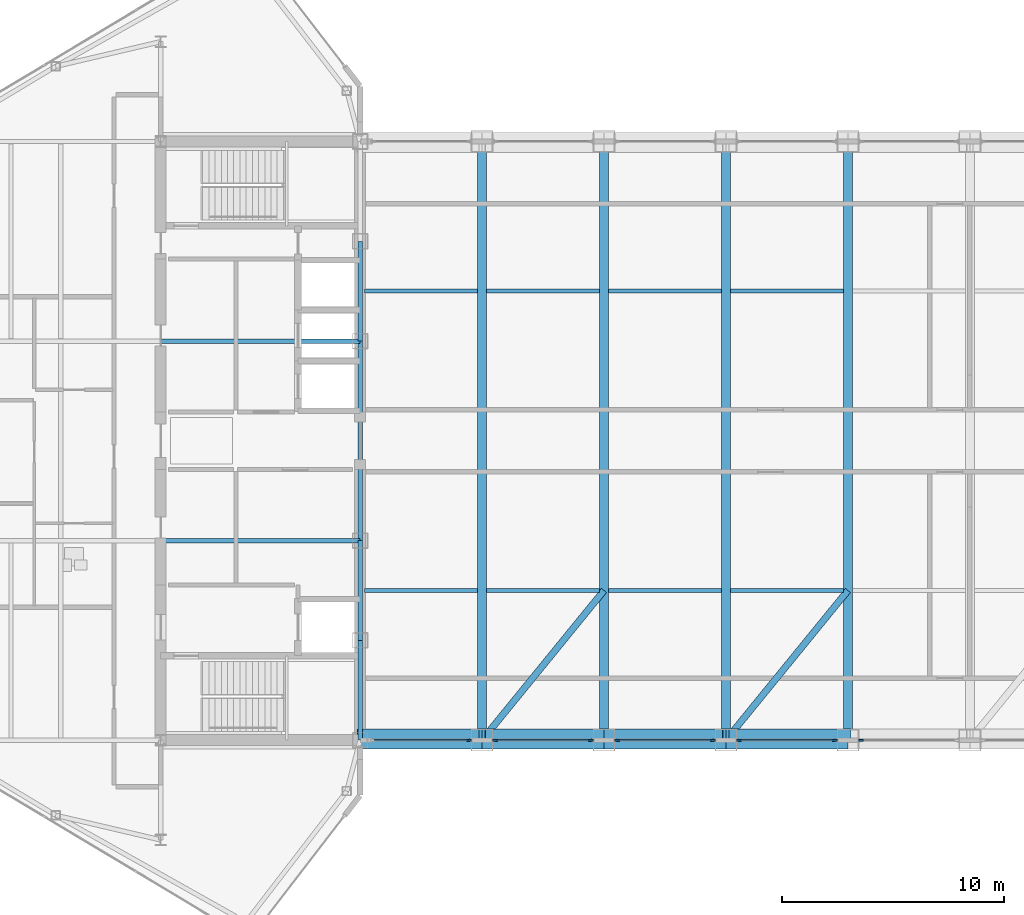
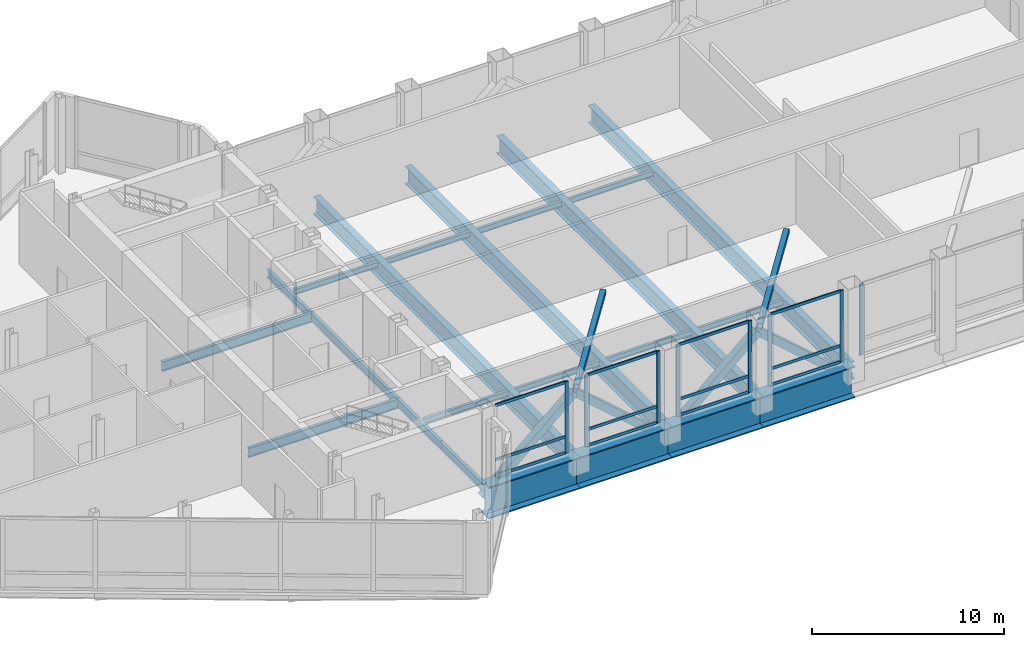
# One storey, part 10 of 29: 26 members, 22 beams, 5 elements without a shape of their own.
"""IFC4 building model written with IfcOpenShell, lengths in metres."""

from ifc_helpers import new_model, si_unit, direction, frame, origin, origin_2d, place, context, subcontext, project, spatial, rectangle, hollow_rectangle, i_section, extrude, source, transform, mapped, material, layer, layer_set, material_profile, profile_set, type_object, type_shapes, element, aggregate, save


model = new_model("IFC4")

# Units and contexts
model_context = context("Model", 3, precision=1e-05, world=origin(), true_north=direction((0.0, 1.0)))
body_context = subcontext(model_context, "Body", "Model", "MODEL_VIEW")
ifc_project = project(units=[si_unit("LENGTHUNIT", "METRE"), si_unit("AREAUNIT", "SQUARE_METRE"), si_unit("VOLUMEUNIT", "CUBIC_METRE"), si_unit("PLANEANGLEUNIT", "RADIAN"), si_unit("MASSUNIT", "GRAM", prefix="KILO")], contexts=[model_context])

# Site, building, storey
site_placement = place(None, origin())
site = spatial("IfcSite", under=ifc_project, at=site_placement, CompositionType="ELEMENT")
building_placement = place(site_placement, origin())
building = spatial("IfcBuilding", under=site, at=building_placement, Name="Seokmaru Belvedere", CompositionType="ELEMENT")
storey_placement = place(building_placement, frame((0.0, 0.0, 229.800048828125)))
storey = spatial("IfcBuildingStorey", under=building, at=storey_placement, Name="L61", CompositionType="ELEMENT", Elevation=229.800048828125)

# Beams
ifc_material_1 = material(Name="Steel SM355 (355 MPa)", Category="steel")
ifc_material_profile_1 = material_profile(ifc_material_1, i_section(OverallWidth=0.199951171875, OverallDepth=0.5, WebThickness=0.010009765625, FlangeThickness=0.01611328125, at=origin_2d()), Name="H-500x200x10x16")
ifc_profile_set_1 = profile_set([ifc_material_profile_1], Name="Steel SM355 (355 MPa)")
beam_type_1 = type_object("IfcBeamType", Name="Perimeter Spandrel Beam H-500", PredefinedType="SPANDREL", material=ifc_profile_set_1)
shared_shape_1 = source(origin(), body_context, "Body", "SweptSolid", [
    extrude(i_section(OverallWidth=0.199951171875, OverallDepth=0.5, WebThickness=0.010009765625, FlangeThickness=0.01611328125, at=origin_2d()), origin(), (0.0, 0.0, 1.0), 4.5),
])
for number, where, z_axis, x_axis, name in (
    (1, (-27.5, -13.5, -0.510009765625), (0.0, 1.0, 0.0), (-1.0, 0.0, 0.0), "L61 W Portal Spine Spandrel 1"),
    (2, (-27.5, -9.0, -0.510009765625), (0.0, 1.0, 0.0), (-1.0, 0.0, 0.0), "L61 W Portal Spine Spandrel 2"),
    (3, (-27.5, 4.5, -0.510009765625), (0.0, 1.0, 0.0), (-1.0, 0.0, 0.0), "L61 W Portal Spine Spandrel 4"),
):
    element("IfcBeam", number, at=place(storey_placement, frame(where, z_axis=z_axis, x_axis=x_axis)), inside=storey, type_object=beam_type_1, Name=name, PredefinedType="SPANDREL", context=body_context, shape_type="MappedRepresentation", body=[
        mapped(shared_shape_1, transform((0.0, 0.0, 0.0), scale=1.0)),
    ])
shared_shape_2 = source(origin(), body_context, "Body", "SweptSolid", [
    extrude(i_section(OverallWidth=0.199951171875, OverallDepth=0.5, WebThickness=0.010009765625, FlangeThickness=0.01611328125, at=origin_2d()), origin(), (0.0, 0.0, 1.0), 9.0),
])
type_shapes(beam_type_1, [shared_shape_1, shared_shape_2])
beam_placement = place(storey_placement, frame((-27.5, -4.5, -0.510009765625), z_axis=(0.0, 1.0, 0.0), x_axis=(-1.0, 0.0, 0.0)))
element("IfcBeam", 4, at=beam_placement, inside=storey, type_object=beam_type_1, Name="L61 W Portal Spine Spandrel 3", PredefinedType="SPANDREL", context=body_context, shape_type="MappedRepresentation", body=[
    mapped(shared_shape_2, transform((0.0, 0.0, 0.0), scale=1.0)),
])
ifc_material_profile_2 = material_profile(ifc_material_1, i_section(OverallWidth=0.199951171875, OverallDepth=0.60009765625, WebThickness=0.010986328125, FlangeThickness=0.01708984375, at=origin_2d()), Name="H-600x200x11x17")
ifc_profile_set_2 = profile_set([ifc_material_profile_2], Name="Steel SM355 (355 MPa)")
beam_type_2 = type_object("IfcBeamType", Name="Primary Floor Girder H-600", PredefinedType="BEAM", material=ifc_profile_set_2)
shared_shape_3 = source(origin(), body_context, "Body", "SweptSolid", [
    extrude(i_section(OverallWidth=0.199951171875, OverallDepth=0.60009765625, WebThickness=0.010986328125, FlangeThickness=0.01708984375, at=origin_2d()), origin(), (0.0, 0.0, 1.0), 9.0),
])
type_shapes(beam_type_2, [shared_shape_3])
for number, where, z_axis, x_axis, name in (
    (5, (-36.5, -4.5, -0.56005859375), (1.0, 0.0, 0.0), (0.0, 1.0, 0.0), "L61 W Core Tie Girder 2"),
    (6, (-36.5, 4.5, -0.56005859375), (1.0, 0.0, 0.0), (0.0, 1.0, 0.0), "L61 W Core Tie Girder 3"),
):
    element("IfcBeam", number, at=place(storey_placement, frame(where, z_axis=z_axis, x_axis=x_axis)), inside=storey, type_object=beam_type_2, Name=name, PredefinedType="BEAM", context=body_context, shape_type="MappedRepresentation", body=[
        mapped(shared_shape_3, transform((0.0, 0.0, 0.0), scale=1.0)),
    ])
ifc_material_2 = material(Name="Steel HSA650 (650 MPa)", Category="steel")
ifc_material_profile_3 = material_profile(ifc_material_2, i_section(OverallWidth=0.800048828125, OverallDepth=2.0, WebThickness=0.0400390625, FlangeThickness=0.070068359375, at=origin_2d()), Name="BH-2000x800x40x70")
ifc_profile_set_3 = profile_set([ifc_material_profile_3], Name="Steel HSA650 (650 MPa)")
beam_type_3 = type_object("IfcBeamType", Name="Sky-Gate Transfer Truss Chord Girder BH-2000", PredefinedType="BEAM", material=ifc_profile_set_3)
shared_shape_4 = source(origin(), body_context, "Body", "SweptSolid", [
    extrude(i_section(OverallWidth=0.800048828125, OverallDepth=2.0, WebThickness=0.0400390625, FlangeThickness=0.070068359375, at=origin_2d()), origin(), (0.0, 0.0, 1.0), 5.5),
])
type_shapes(beam_type_3, [shared_shape_4])
for number, where, z_axis, x_axis, name in (
    (7, (-27.5, -13.5, -1.260009765625), (1.0, 0.0, 0.0), (0.0, 1.0, 0.0), "L61 Sky-Gate Transfer Truss Chord S-02"),
    (8, (-22.0, -13.5, -1.260009765625), (1.0, 0.0, 0.0), (0.0, 1.0, 0.0), "L61 Sky-Gate Transfer Truss Chord S-03"),
    (9, (-16.5, -13.5, -1.260009765625), (1.0, 0.0, 0.0), (0.0, 1.0, 0.0), "L61 Sky-Gate Transfer Truss Chord S-04"),
    (10, (-11.0, -13.5, -1.260009765625), (1.0, 0.0, 0.0), (0.0, 1.0, 0.0), "L61 Sky-Gate Transfer Truss Chord S-05"),
):
    element("IfcBeam", number, at=place(storey_placement, frame(where, z_axis=z_axis, x_axis=x_axis)), inside=storey, type_object=beam_type_3, Name=name, PredefinedType="BEAM", context=body_context, shape_type="MappedRepresentation", body=[
        mapped(shared_shape_4, transform((0.0, 0.0, 0.0), scale=1.0)),
    ])
ifc_material_profile_4 = material_profile(ifc_material_1, i_section(OverallWidth=0.39990234375, OverallDepth=1.10009765625, WebThickness=0.02001953125, FlangeThickness=0.033935546875, at=origin_2d()), Name="BH-1100x400x20x34")
ifc_profile_set_4 = profile_set([ifc_material_profile_4], Name="Steel SM355 (355 MPa)")
beam_type_4 = type_object("IfcBeamType", Name="Sky-Gate Transverse Girder BH-1100", PredefinedType="BEAM", material=ifc_profile_set_4)
shared_shape_5 = source(origin(), body_context, "Body", "SweptSolid", [
    extrude(i_section(OverallWidth=0.39990234375, OverallDepth=1.10009765625, WebThickness=0.02001953125, FlangeThickness=0.033935546875, at=origin_2d()), origin(), (0.0, 0.0, 1.0), 27.0),
])
type_shapes(beam_type_4, [shared_shape_5])
for number, where, z_axis, x_axis, name in (
    (11, (-22.0, -13.5, -0.81005859375), (0.0, 1.0, 0.0), (-1.0, 0.0, 0.0), "L61 Sky-Gate Transverse Girder 01"),
    (12, (-16.5, -13.5, -0.81005859375), (0.0, 1.0, 0.0), (-1.0, 0.0, 0.0), "L61 Sky-Gate Transverse Girder 02"),
    (13, (-11.0, -13.5, -0.81005859375), (0.0, 1.0, 0.0), (-1.0, 0.0, 0.0), "L61 Sky-Gate Transverse Girder 03"),
    (14, (-5.5, -13.5, -0.81005859375), (0.0, 1.0, 0.0), (-1.0, 0.0, 0.0), "L61 Sky-Gate Transverse Girder 04"),
):
    element("IfcBeam", number, at=place(storey_placement, frame(where, z_axis=z_axis, x_axis=x_axis)), inside=storey, type_object=beam_type_4, Name=name, PredefinedType="BEAM", context=body_context, shape_type="MappedRepresentation", body=[
        mapped(shared_shape_5, transform((0.0, 0.0, 0.0), scale=1.0)),
    ])
ifc_material_profile_5 = material_profile(ifc_material_1, i_section(OverallWidth=0.175048828125, OverallDepth=0.35009765625, WebThickness=0.007080078125, FlangeThickness=0.010986328125, at=origin_2d()), Name="H-350x175x7x11")
ifc_profile_set_5 = profile_set([ifc_material_profile_5], Name="Steel SM355 (355 MPa)")
beam_type_5 = type_object("IfcBeamType", Name="Secondary Floor Joist H-300", PredefinedType="JOIST", material=ifc_profile_set_5)
shared_shape_6 = source(origin(), body_context, "Body", "SweptSolid", [
    extrude(i_section(OverallWidth=0.175048828125, OverallDepth=0.35009765625, WebThickness=0.007080078125, FlangeThickness=0.010986328125, at=origin_2d()), origin(), (0.0, 0.0, 1.0), 5.08984375),
])
type_shapes(beam_type_5, [shared_shape_6])
for number, where, z_axis, x_axis, name in (
    (15, (-27.294921875, -6.75, -0.43505859375), (1.0, 0.0, 0.0), (0.0, 1.0, 0.0), "L61 Sky-Gate Secondary Joist S-01"),
    (16, (-21.794921875, -6.75, -0.43505859375), (1.0, 0.0, 0.0), (0.0, 1.0, 0.0), "L61 Sky-Gate Secondary Joist S-02"),
    (17, (-16.294921875, -6.75, -0.43505859375), (1.0, 0.0, 0.0), (0.0, 1.0, 0.0), "L61 Sky-Gate Secondary Joist S-03"),
    (18, (-10.794921875, -6.75, -0.43505859375), (1.0, 0.0, 0.0), (0.0, 1.0, 0.0), "L61 Sky-Gate Secondary Joist S-04"),
    (19, (-27.294921875, 6.75, -0.43505859375), (1.0, 0.0, 0.0), (0.0, 1.0, 0.0), "L61 Sky-Gate Secondary Joist N-01"),
    (20, (-21.794921875, 6.75, -0.43505859375), (1.0, 0.0, 0.0), (0.0, 1.0, 0.0), "L61 Sky-Gate Secondary Joist N-02"),
    (21, (-16.294921875, 6.75, -0.43505859375), (1.0, 0.0, 0.0), (0.0, 1.0, 0.0), "L61 Sky-Gate Secondary Joist N-03"),
    (22, (-10.794921875, 6.75, -0.43505859375), (1.0, 0.0, 0.0), (0.0, 1.0, 0.0), "L61 Sky-Gate Secondary Joist N-04"),
):
    element("IfcBeam", number, at=place(storey_placement, frame(where, z_axis=z_axis, x_axis=x_axis)), inside=storey, type_object=beam_type_5, Name=name, PredefinedType="JOIST", context=body_context, shape_type="MappedRepresentation", body=[
        mapped(shared_shape_6, transform((0.0, 0.0, 0.0), scale=1.0)),
    ])

# Members
ifc_material_profile_6 = material_profile(ifc_material_2, hollow_rectangle(XDim=0.449951171875, YDim=0.449951171875, WallThickness=0.01806640625, at=origin_2d()), Name="HSS-450x450x18")
ifc_profile_set_6 = profile_set([ifc_material_profile_6], Name="Steel HSA650 (650 MPa)")
member_type_1 = type_object("IfcMemberType", Name="Sky-Gate Transfer Truss Web Diagonal HSS-450", PredefinedType="BRACE", material=ifc_profile_set_6)
shared_shape_7 = source(origin(), body_context, "Body", "SweptSolid", [
    extrude(hollow_rectangle(XDim=0.449951171875, YDim=0.449951171875, WallThickness=0.01806640625, at=origin_2d()), origin(), (0.0, 0.0, 1.0), 7.300048828125),
])
type_shapes(member_type_1, [shared_shape_7])
for number, where, z_axis, x_axis, name in (
    (23, (-27.5, -13.22412109375, -1.260009765625), (0.753421343899, 0.0, 0.65753804343), (0.0, 1.0, 0.0), "L61 Sky-Gate Transfer Truss Web Diagonal S-01"),
    (24, (-22.0, -13.22412109375, 3.5400390625), (0.753421343899, 0.0, -0.65753804343), (0.0, 1.0, 0.0), "L61 Sky-Gate Transfer Truss Web Diagonal S-02"),
    (25, (-16.5, -13.22412109375, -1.260009765625), (0.753421343899, 0.0, 0.65753804343), (0.0, 1.0, 0.0), "L61 Sky-Gate Transfer Truss Web Diagonal S-03"),
    (26, (-11.0, -13.22412109375, 3.5400390625), (0.753421343899, 0.0, -0.65753804343), (0.0, 1.0, 0.0), "L61 Sky-Gate Transfer Truss Web Diagonal S-04"),
):
    element("IfcMember", number, at=place(storey_placement, frame(where, z_axis=z_axis, x_axis=x_axis)), inside=storey, type_object=member_type_1, Name=name, PredefinedType="BRACE", context=body_context, shape_type="MappedRepresentation", body=[
        mapped(shared_shape_7, transform((0.0, 0.0, 0.0), scale=1.0)),
    ])
ifc_material_profile_7 = material_profile(ifc_material_1, hollow_rectangle(XDim=0.300048828125, YDim=0.300048828125, WallThickness=0.011962890625, at=origin_2d()), Name="HSS-300x300x12")
ifc_profile_set_7 = profile_set([ifc_material_profile_7], Name="Steel SM355 (355 MPa)")
member_type_2 = type_object("IfcMemberType", Name="Sky-Gate Transfer Truss Lateral Tie HSS-300", PredefinedType="CHORD", material=ifc_profile_set_7)
shared_shape_8 = source(origin(), body_context, "Body", "SweptSolid", [
    extrude(hollow_rectangle(XDim=0.300048828125, YDim=0.300048828125, WallThickness=0.011962890625, at=origin_2d()), origin(), (0.0, 0.0, 1.0), 8.70703125),
])
type_shapes(member_type_2, [shared_shape_8])
for number, where, z_axis, x_axis, name in (
    (27, (-22.0, -13.5, 3.989990234375), (0.631672951162, 0.775234985517, 0.0), (-0.775234985517, 0.631672951162, 0.0), "L61 Sky-Gate Under-Deck Wind Tie L62-1"),
    (28, (-11.0, -13.5, 3.989990234375), (0.631672951162, 0.775234985517, 0.0), (-0.775234985517, 0.631672951162, 0.0), "L61 Sky-Gate Under-Deck Wind Tie L62-2"),
):
    element("IfcMember", number, at=place(storey_placement, frame(where, z_axis=z_axis, x_axis=x_axis)), inside=storey, type_object=member_type_2, Name=name, PredefinedType="CHORD", context=body_context, shape_type="MappedRepresentation", body=[
        mapped(shared_shape_8, transform((0.0, 0.0, 0.0), scale=1.0)),
    ])

# Curtain wall, member
ifc_material_3 = material(Name="Bronze Triple Insulating Glass", Category="glass")
ifc_layer = layer(ifc_material_3, 0.219970703125)
ifc_layer_set = layer_set([ifc_layer], Name="Bronze Triple Insulating Glass")
curtain_wall_type = type_object("IfcCurtainWallType", Name="Sky-Gate Bridge Panorama Curtain Wall System CW-6", PredefinedType="NOTDEFINED", material=ifc_layer_set)
curtain_wall_1_placement = place(storey_placement, origin())
curtain_wall_1 = element("IfcCurtainWall", 29, at=curtain_wall_1_placement, inside=storey, type_object=curtain_wall_type, Name="L61 Curtain Wall BR_S01", PredefinedType="NOTDEFINED")
ifc_material_4 = material(Name="Anodised Bronze Aluminium", Category="aluminium")
ifc_material_profile_8 = material_profile(ifc_material_4, rectangle(XDim=0.080078125, YDim=0.219970703125, at=origin_2d()), Name="CW-M-80x220")
ifc_profile_set_8 = profile_set([ifc_material_profile_8], Name="Anodised Bronze Aluminium")
member_type_3 = type_object("IfcMemberType", Name="Bronze Unitised Mullion 80x220", PredefinedType="MULLION", material=ifc_profile_set_8)
shared_shape_9 = source(origin(), body_context, "Body", "SweptSolid", [
    extrude(rectangle(XDim=0.080078125, YDim=0.219970703125, at=origin_2d()), origin(), (0.0, 0.0, 1.0), 4.5400390625),
])
type_shapes(member_type_3, [shared_shape_9])
member_1_placement = place(storey_placement, frame((-22.590087890625, -13.5, 0.0), z_axis=(0.0, 0.0, 1.0), x_axis=(0.0, 1.0, 0.0)))
member_1 = element("IfcMember", 30, at=member_1_placement, type_object=member_type_3, Name="CW:L61:BR_S01 Mullion 2", PredefinedType="MULLION", context=body_context, shape_type="MappedRepresentation", body=[
    mapped(shared_shape_9, transform((0.0, 0.0, 0.0), scale=1.0)),
])

# Curtain wall, members
curtain_wall_2_placement = place(storey_placement, origin())
curtain_wall_2 = element("IfcCurtainWall", 31, at=curtain_wall_2_placement, inside=storey, type_object=curtain_wall_type, Name="L61 Curtain Wall BR_S02", PredefinedType="NOTDEFINED")
member_2_placement = place(storey_placement, frame((-21.409912109375, -13.5, 0.0), z_axis=(0.0, 0.0, 1.0), x_axis=(0.0, 1.0, 0.0)))
member_2 = element("IfcMember", 32, at=member_2_placement, type_object=member_type_3, Name="CW:L61:BR_S02 Mullion 1", PredefinedType="MULLION", context=body_context, shape_type="MappedRepresentation", body=[
    mapped(shared_shape_9, transform((0.0, 0.0, 0.0), scale=1.0)),
])
member_3_placement = place(storey_placement, frame((-17.090087890625, -13.5, 0.0), z_axis=(0.0, 0.0, 1.0), x_axis=(0.0, 1.0, 0.0)))
member_3 = element("IfcMember", 33, at=member_3_placement, type_object=member_type_3, Name="CW:L61:BR_S02 Mullion 2", PredefinedType="MULLION", context=body_context, shape_type="MappedRepresentation", body=[
    mapped(shared_shape_9, transform((0.0, 0.0, 0.0), scale=1.0)),
])

curtain_wall_3_placement = place(storey_placement, origin())
curtain_wall_3 = element("IfcCurtainWall", 34, at=curtain_wall_3_placement, inside=storey, type_object=curtain_wall_type, Name="L61 Curtain Wall BR_S03", PredefinedType="NOTDEFINED")
member_4_placement = place(storey_placement, frame((-15.909912109375, -13.5, 0.0), z_axis=(0.0, 0.0, 1.0), x_axis=(0.0, 1.0, 0.0)))
member_4 = element("IfcMember", 35, at=member_4_placement, type_object=member_type_3, Name="CW:L61:BR_S03 Mullion 1", PredefinedType="MULLION", context=body_context, shape_type="MappedRepresentation", body=[
    mapped(shared_shape_9, transform((0.0, 0.0, 0.0), scale=1.0)),
])
member_5_placement = place(storey_placement, frame((-11.590087890625, -13.5, 0.0), z_axis=(0.0, 0.0, 1.0), x_axis=(0.0, 1.0, 0.0)))
member_5 = element("IfcMember", 36, at=member_5_placement, type_object=member_type_3, Name="CW:L61:BR_S03 Mullion 2", PredefinedType="MULLION", context=body_context, shape_type="MappedRepresentation", body=[
    mapped(shared_shape_9, transform((0.0, 0.0, 0.0), scale=1.0)),
])

curtain_wall_4_placement = place(storey_placement, origin())
curtain_wall_4 = element("IfcCurtainWall", 37, at=curtain_wall_4_placement, inside=storey, type_object=curtain_wall_type, Name="L61 Curtain Wall BR_S04", PredefinedType="NOTDEFINED")
member_6_placement = place(storey_placement, frame((-10.409912109375, -13.5, 0.0), z_axis=(0.0, 0.0, 1.0), x_axis=(0.0, 1.0, 0.0)))
member_6 = element("IfcMember", 38, at=member_6_placement, type_object=member_type_3, Name="CW:L61:BR_S04 Mullion 1", PredefinedType="MULLION", context=body_context, shape_type="MappedRepresentation", body=[
    mapped(shared_shape_9, transform((0.0, 0.0, 0.0), scale=1.0)),
])
member_7_placement = place(storey_placement, frame((-6.090087890625, -13.5, 0.0), z_axis=(0.0, 0.0, 1.0), x_axis=(0.0, 1.0, 0.0)))
member_7 = element("IfcMember", 39, at=member_7_placement, type_object=member_type_3, Name="CW:L61:BR_S04 Mullion 2", PredefinedType="MULLION", context=body_context, shape_type="MappedRepresentation", body=[
    mapped(shared_shape_9, transform((0.0, 0.0, 0.0), scale=1.0)),
])

# Curtain wall, member
curtain_wall_5_placement = place(storey_placement, origin())
curtain_wall_5 = element("IfcCurtainWall", 40, at=curtain_wall_5_placement, inside=storey, type_object=curtain_wall_type, Name="L61 Curtain Wall BR_S05", PredefinedType="NOTDEFINED")
member_8_placement = place(storey_placement, frame((-4.909912109375, -13.5, 0.0), z_axis=(0.0, 0.0, 1.0), x_axis=(0.0, 1.0, 0.0)))
member_8 = element("IfcMember", 41, at=member_8_placement, type_object=member_type_3, Name="CW:L61:BR_S05 Mullion 1", PredefinedType="MULLION", context=body_context, shape_type="MappedRepresentation", body=[
    mapped(shared_shape_9, transform((0.0, 0.0, 0.0), scale=1.0)),
])
aggregate(curtain_wall_5, [member_8])

# Member
ifc_material_profile_9 = material_profile(ifc_material_4, rectangle(XDim=0.074951171875, YDim=0.179931640625, at=origin_2d()), Name="CW-T-75x180")
ifc_profile_set_9 = profile_set([ifc_material_profile_9], Name="Anodised Bronze Aluminium")
member_type_4 = type_object("IfcMemberType", Name="Bronze Unitised Transom 75x180", PredefinedType="USERDEFINED", material=ifc_profile_set_9)
shared_shape_10 = source(origin(), body_context, "Body", "SweptSolid", [
    extrude(rectangle(XDim=0.074951171875, YDim=0.179931640625, at=origin_2d()), origin(), (0.0, 0.0, 1.0), 4.240234375),
])
type_shapes(member_type_4, [shared_shape_10])
member_9_placement = place(storey_placement, frame((-26.8701171875, -13.5, 0.037353515625), z_axis=(1.0, 0.0, 0.0), x_axis=(0.0, 1.0, 0.0)))
member_9 = element("IfcMember", 42, at=member_9_placement, type_object=member_type_4, Name="CW:L61:BR_S01 Continuous Transom 1", ObjectType="TRANSOM", PredefinedType="USERDEFINED", context=body_context, shape_type="MappedRepresentation", body=[
    mapped(shared_shape_10, transform((0.0, 0.0, 0.0), scale=1.0)),
])

member_10_placement = place(storey_placement, frame((-26.8701171875, -13.5, 4.50244140625), z_axis=(1.0, 0.0, 0.0), x_axis=(0.0, 1.0, 0.0)))
member_10 = element("IfcMember", 43, at=member_10_placement, type_object=member_type_4, Name="CW:L61:BR_S01 Continuous Transom 2", ObjectType="TRANSOM", PredefinedType="USERDEFINED", context=body_context, shape_type="MappedRepresentation", body=[
    mapped(shared_shape_10, transform((0.0, 0.0, 0.0), scale=1.0)),
])

member_11_placement = place(storey_placement, frame((-26.8701171875, -13.5, 1.050048828125), z_axis=(1.0, 0.0, 0.0), x_axis=(0.0, 1.0, 0.0)))
member_11 = element("IfcMember", 44, at=member_11_placement, type_object=member_type_4, Name="CW:L61:BR_S01 Spandrel Transom 1", ObjectType="TRANSOM", PredefinedType="USERDEFINED", context=body_context, shape_type="MappedRepresentation", body=[
    mapped(shared_shape_10, transform((0.0, 0.0, 0.0), scale=1.0)),
])

aggregate(curtain_wall_1, [member_1, member_9, member_10, member_11])

member_12_placement = place(storey_placement, frame((-21.3701171875, -13.5, 0.037353515625), z_axis=(1.0, 0.0, 0.0), x_axis=(0.0, 1.0, 0.0)))
member_12 = element("IfcMember", 45, at=member_12_placement, type_object=member_type_4, Name="CW:L61:BR_S02 Continuous Transom 1", ObjectType="TRANSOM", PredefinedType="USERDEFINED", context=body_context, shape_type="MappedRepresentation", body=[
    mapped(shared_shape_10, transform((0.0, 0.0, 0.0), scale=1.0)),
])

member_13_placement = place(storey_placement, frame((-21.3701171875, -13.5, 4.50244140625), z_axis=(1.0, 0.0, 0.0), x_axis=(0.0, 1.0, 0.0)))
member_13 = element("IfcMember", 46, at=member_13_placement, type_object=member_type_4, Name="CW:L61:BR_S02 Continuous Transom 2", ObjectType="TRANSOM", PredefinedType="USERDEFINED", context=body_context, shape_type="MappedRepresentation", body=[
    mapped(shared_shape_10, transform((0.0, 0.0, 0.0), scale=1.0)),
])

member_14_placement = place(storey_placement, frame((-21.3701171875, -13.5, 1.050048828125), z_axis=(1.0, 0.0, 0.0), x_axis=(0.0, 1.0, 0.0)))
member_14 = element("IfcMember", 47, at=member_14_placement, type_object=member_type_4, Name="CW:L61:BR_S02 Spandrel Transom 1", ObjectType="TRANSOM", PredefinedType="USERDEFINED", context=body_context, shape_type="MappedRepresentation", body=[
    mapped(shared_shape_10, transform((0.0, 0.0, 0.0), scale=1.0)),
])

aggregate(curtain_wall_2, [member_2, member_3, member_12, member_13, member_14])

member_15_placement = place(storey_placement, frame((-15.8701171875, -13.5, 0.037353515625), z_axis=(1.0, 0.0, 0.0), x_axis=(0.0, 1.0, 0.0)))
member_15 = element("IfcMember", 48, at=member_15_placement, type_object=member_type_4, Name="CW:L61:BR_S03 Continuous Transom 1", ObjectType="TRANSOM", PredefinedType="USERDEFINED", context=body_context, shape_type="MappedRepresentation", body=[
    mapped(shared_shape_10, transform((0.0, 0.0, 0.0), scale=1.0)),
])

member_16_placement = place(storey_placement, frame((-15.8701171875, -13.5, 4.50244140625), z_axis=(1.0, 0.0, 0.0), x_axis=(0.0, 1.0, 0.0)))
member_16 = element("IfcMember", 49, at=member_16_placement, type_object=member_type_4, Name="CW:L61:BR_S03 Continuous Transom 2", ObjectType="TRANSOM", PredefinedType="USERDEFINED", context=body_context, shape_type="MappedRepresentation", body=[
    mapped(shared_shape_10, transform((0.0, 0.0, 0.0), scale=1.0)),
])

member_17_placement = place(storey_placement, frame((-15.8701171875, -13.5, 1.050048828125), z_axis=(1.0, 0.0, 0.0), x_axis=(0.0, 1.0, 0.0)))
member_17 = element("IfcMember", 50, at=member_17_placement, type_object=member_type_4, Name="CW:L61:BR_S03 Spandrel Transom 1", ObjectType="TRANSOM", PredefinedType="USERDEFINED", context=body_context, shape_type="MappedRepresentation", body=[
    mapped(shared_shape_10, transform((0.0, 0.0, 0.0), scale=1.0)),
])

aggregate(curtain_wall_3, [member_4, member_5, member_15, member_16, member_17])

member_18_placement = place(storey_placement, frame((-10.3701171875, -13.5, 0.037353515625), z_axis=(1.0, 0.0, 0.0), x_axis=(0.0, 1.0, 0.0)))
member_18 = element("IfcMember", 51, at=member_18_placement, type_object=member_type_4, Name="CW:L61:BR_S04 Continuous Transom 1", ObjectType="TRANSOM", PredefinedType="USERDEFINED", context=body_context, shape_type="MappedRepresentation", body=[
    mapped(shared_shape_10, transform((0.0, 0.0, 0.0), scale=1.0)),
])

member_19_placement = place(storey_placement, frame((-10.3701171875, -13.5, 4.50244140625), z_axis=(1.0, 0.0, 0.0), x_axis=(0.0, 1.0, 0.0)))
member_19 = element("IfcMember", 52, at=member_19_placement, type_object=member_type_4, Name="CW:L61:BR_S04 Continuous Transom 2", ObjectType="TRANSOM", PredefinedType="USERDEFINED", context=body_context, shape_type="MappedRepresentation", body=[
    mapped(shared_shape_10, transform((0.0, 0.0, 0.0), scale=1.0)),
])

member_20_placement = place(storey_placement, frame((-10.3701171875, -13.5, 1.050048828125), z_axis=(1.0, 0.0, 0.0), x_axis=(0.0, 1.0, 0.0)))
member_20 = element("IfcMember", 53, at=member_20_placement, type_object=member_type_4, Name="CW:L61:BR_S04 Spandrel Transom 1", ObjectType="TRANSOM", PredefinedType="USERDEFINED", context=body_context, shape_type="MappedRepresentation", body=[
    mapped(shared_shape_10, transform((0.0, 0.0, 0.0), scale=1.0)),
])

aggregate(curtain_wall_4, [member_6, member_7, member_18, member_19, member_20])

save(model, "model.ifc")
